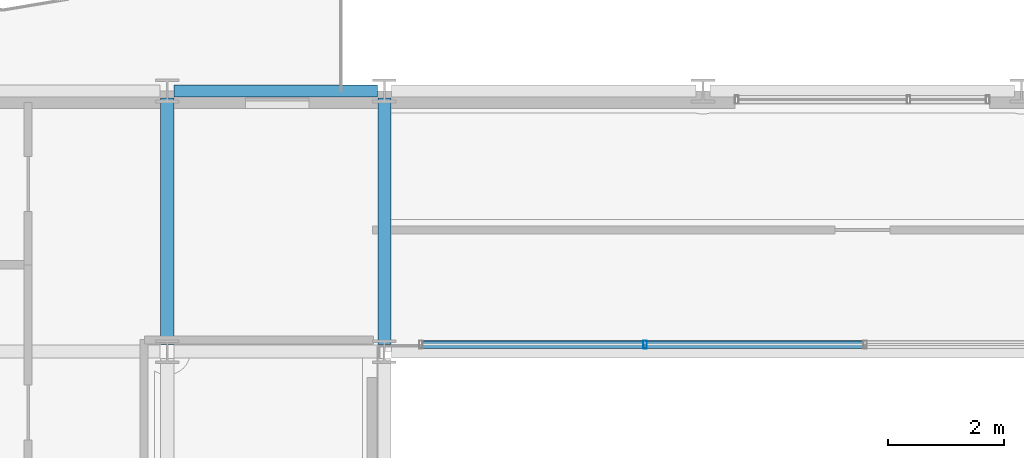
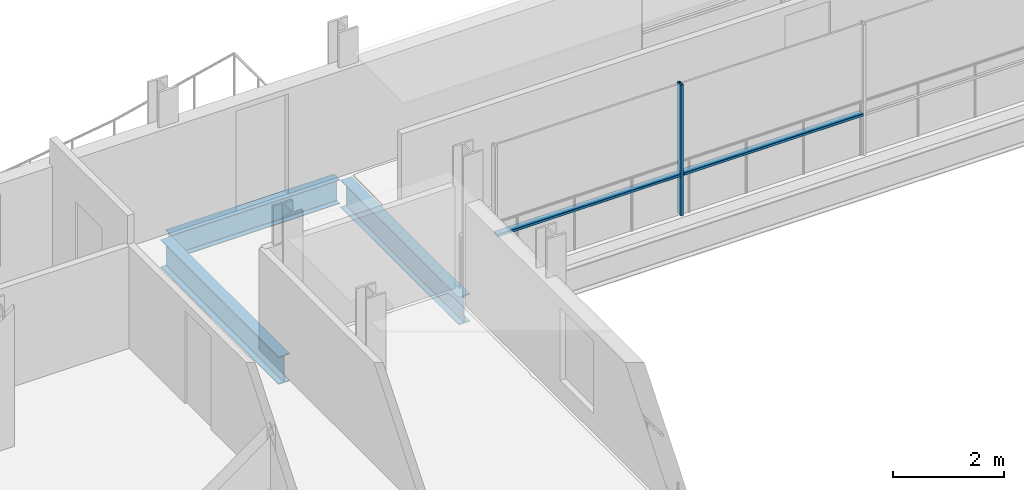
# One storey, part 11 of 40: 3 beams, 3 members, 1 element without a shape of its own.
"""IFC4 building model written with IfcOpenShell, lengths in metres."""

from ifc_helpers import new_model, si_unit, direction, frame, origin, origin_2d, place, context, subcontext, project, spatial, hollow_rectangle, i_section, extrude, material, layer, layer_set, material_profile, profile_set, type_object, element, aggregate, save


model = new_model("IFC4")

# Units and contexts
model_context = context("Model", 3, precision=1e-05, world=origin(), true_north=direction((0.0, 1.0)))
body_context = subcontext(model_context, "Body", "Model", "MODEL_VIEW")
ifc_project = project(units=[si_unit("LENGTHUNIT", "METRE"), si_unit("AREAUNIT", "SQUARE_METRE"), si_unit("VOLUMEUNIT", "CUBIC_METRE"), si_unit("PLANEANGLEUNIT", "RADIAN"), si_unit("MASSUNIT", "GRAM", prefix="KILO")], contexts=[model_context])

# Site, building, storey
site_placement = place(None, origin())
site = spatial("IfcSite", under=ifc_project, at=site_placement, CompositionType="ELEMENT")
building_placement = place(site_placement, origin())
building = spatial("IfcBuilding", under=site, at=building_placement, Name="Brevholm Reach", CompositionType="ELEMENT")
storey_placement = place(building_placement, frame((0.0, 0.0, 148.0)))
storey = spatial("IfcBuildingStorey", under=building, at=storey_placement, Name="L44", CompositionType="ELEMENT", Elevation=148.0)

# Beams
ifc_material_1 = material(Name="Structural Steel S355J2", Category="steel")
ifc_material_profile_1 = material_profile(ifc_material_1, i_section(OverallWidth=0.209228515625, OverallDepth=0.533203125, WebThickness=0.010009765625, FlangeThickness=0.015625, FilletRadius=0.0126953125, at=origin_2d()), Name="UKB 533x210x92")
ifc_profile_set_1 = profile_set([ifc_material_profile_1], Name="Structural Steel S355J2")
beam_type_1 = type_object("IfcBeamType", Name="BM-SP533", PredefinedType="SPANDREL", material=ifc_profile_set_1)
beam_placement = place(storey_placement, frame((18.1201171875, 31.0, -0.486572265625), z_axis=(1.0, 0.0, 0.0), x_axis=(0.0, 1.0, 0.0)))
element("IfcBeam", 1, at=beam_placement, inside=storey, type_object=beam_type_1, Name="L44 SP-02 Framing Beam", PredefinedType="SPANDREL", context=body_context, shape_type="SweptSolid", body=[
    extrude(i_section(OverallWidth=0.209228515625, OverallDepth=0.533203125, WebThickness=0.010009765625, FlangeThickness=0.015625, FilletRadius=0.0126953125, at=origin_2d()), origin(), (0.0, 0.0, 1.0), 3.509765625),
])
ifc_material_2 = material(Name="Structural Steel S355J2", Category="steel")
ifc_material_profile_2 = material_profile(ifc_material_2, i_section(OverallWidth=0.22900390625, OverallDepth=0.6123046875, WebThickness=0.011962890625, FlangeThickness=0.01953125, FilletRadius=0.0126953125, at=origin_2d()), Name="UKB 610x229x125")
ifc_profile_set_2 = profile_set([ifc_material_profile_2], Name="Structural Steel S355J2")
beam_type_2 = type_object("IfcBeamType", Name="BM-SP610", PredefinedType="SPANDREL", material=ifc_profile_set_2)
for number, where, z_axis, x_axis, name in (
    (2, (18.0, 26.6201171875, -0.526123046875), (0.0, 1.0, 0.0), (-1.0, 0.0, 0.0), "L44 SP-01 Framing Beam"),
    (3, (21.75, 26.6201171875, -0.526123046875), (0.0, 1.0, 0.0), (-1.0, 0.0, 0.0), "L44 SP-01 Framing Beam"),
):
    element("IfcBeam", number, at=place(storey_placement, frame(where, z_axis=z_axis, x_axis=x_axis)), inside=storey, type_object=beam_type_2, Name=name, PredefinedType="SPANDREL", context=body_context, shape_type="SweptSolid", body=[
        extrude(i_section(OverallWidth=0.22900390625, OverallDepth=0.6123046875, WebThickness=0.011962890625, FlangeThickness=0.01953125, FilletRadius=0.0126953125, at=origin_2d()), origin(), (0.0, 0.0, 1.0), 4.259765625),
    ])

# Curtain wall, members
ifc_material_3 = material(Name="Dark Anodised Aluminium 6063-T6 and Solar-Control Glass", Category="aluminium")
ifc_layer = layer(ifc_material_3, 0.139892578125)
ifc_layer_set = layer_set([ifc_layer], Name="Dark Anodised Aluminium 6063-T6 and Solar-Control Glass")
curtain_wall_type = type_object("IfcCurtainWallType", Name="CW-02", PredefinedType="NOTDEFINED", material=ifc_layer_set)
curtain_wall_placement = place(storey_placement, origin())
curtain_wall = element("IfcCurtainWall", 4, at=curtain_wall_placement, inside=storey, type_object=curtain_wall_type, Name="L44 Curtain Wall CW-02", PredefinedType="NOTDEFINED")
ifc_material_4 = material(Name="Dark Anodised Aluminium 6063-T6", Category="aluminium")
ifc_material_profile_3 = material_profile(ifc_material_4, hollow_rectangle(XDim=0.06005859375, YDim=0.139892578125, WallThickness=0.0048828125, InnerFilletRadius=0.0048828125, OuterFilletRadius=0.010009765625, at=origin_2d()), Name="RHS 140x60x5")
ifc_profile_set_3 = profile_set([ifc_material_profile_3], Name="Dark Anodised Aluminium 6063-T6")
member_type_1 = type_object("IfcMemberType", Name="CWM-140", PredefinedType="MULLION", material=ifc_profile_set_3)
member_1_placement = place(storey_placement, frame((26.25, 26.6201171875, 0.0), z_axis=(0.0, 0.0, 1.0), x_axis=(-1.0, 0.0, 0.0)))
member_1 = element("IfcMember", 5, at=member_1_placement, type_object=member_type_1, Name="CM-140 Mullion 4", PredefinedType="MULLION", context=body_context, shape_type="SweptSolid", body=[
    extrude(hollow_rectangle(XDim=0.06005859375, YDim=0.139892578125, WallThickness=0.0048828125, InnerFilletRadius=0.0048828125, OuterFilletRadius=0.010009765625, at=origin_2d()), origin(), (0.0, 0.0, 1.0), 2.8798828125),
])
ifc_material_5 = material(Name="Dark Anodised Aluminium 6063-T6", Category="aluminium")
ifc_material_profile_4 = material_profile(ifc_material_5, hollow_rectangle(XDim=0.06005859375, YDim=0.139892578125, WallThickness=0.0048828125, InnerFilletRadius=0.0048828125, OuterFilletRadius=0.010009765625, at=origin_2d()), Name="RHS 140x60x5")
ifc_profile_set_4 = profile_set([ifc_material_profile_4], Name="Dark Anodised Aluminium 6063-T6")
member_type_2 = type_object("IfcMemberType", Name="CWT-140", PredefinedType="NOTDEFINED", material=ifc_profile_set_4)
member_2_placement = place(storey_placement, frame((30.02001953125, 26.6201171875, 0.89990234375), z_axis=(-1.0, 0.0, 0.0), x_axis=(0.0, 0.0, 1.0)))
member_2 = element("IfcMember", 6, at=member_2_placement, type_object=member_type_2, Name="CT-140 Transom 3.1", ObjectType="TRANSOM", PredefinedType="USERDEFINED", context=body_context, shape_type="SweptSolid", body=[
    extrude(hollow_rectangle(XDim=0.06005859375, YDim=0.139892578125, WallThickness=0.0048828125, InnerFilletRadius=0.0048828125, OuterFilletRadius=0.010009765625, at=origin_2d()), origin(), (0.0, 0.0, 1.0), 3.739990234375),
])
member_3_placement = place(storey_placement, frame((26.219970703125, 26.6201171875, 0.89990234375), z_axis=(-1.0, 0.0, 0.0), x_axis=(0.0, 0.0, 1.0)))
member_3 = element("IfcMember", 7, at=member_3_placement, type_object=member_type_2, Name="CT-140 Transom 4.1", ObjectType="TRANSOM", PredefinedType="USERDEFINED", context=body_context, shape_type="SweptSolid", body=[
    extrude(hollow_rectangle(XDim=0.06005859375, YDim=0.139892578125, WallThickness=0.0048828125, InnerFilletRadius=0.0048828125, OuterFilletRadius=0.010009765625, at=origin_2d()), origin(), (0.0, 0.0, 1.0), 3.81005859375),
])
aggregate(curtain_wall, [member_1, member_2, member_3])

save(model, "model.ifc")
